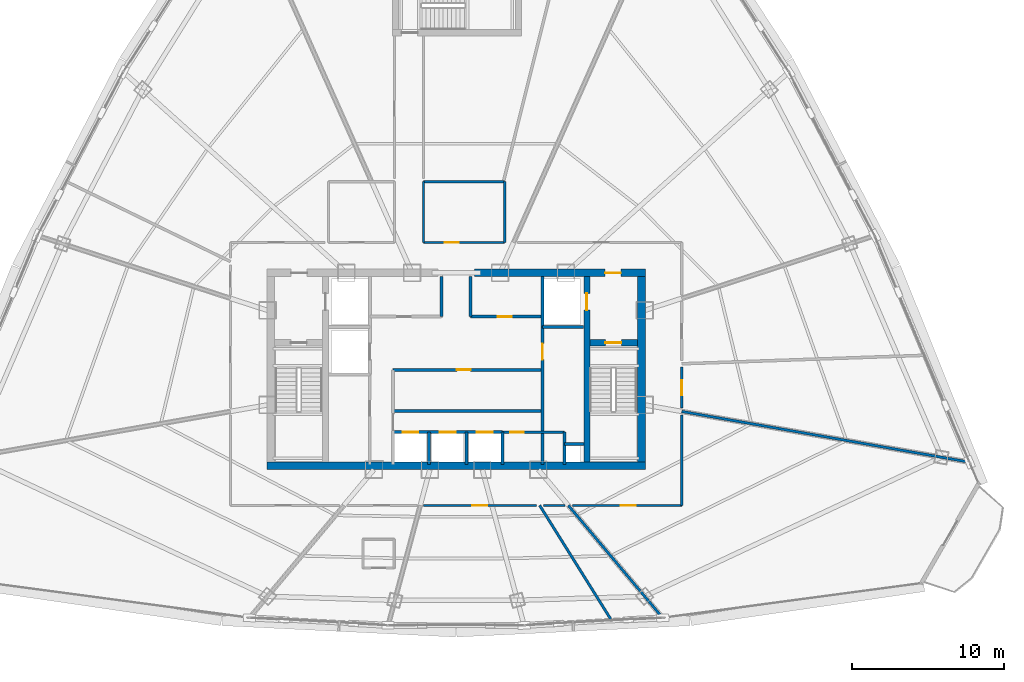
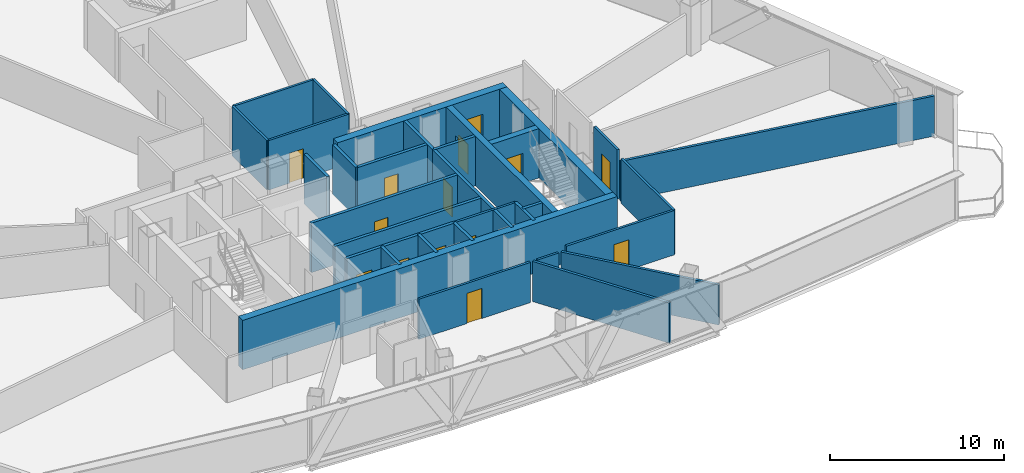
# One storey, part 31 of 37: 32 walls, 14 doors, 14 openings.
"""IFC4 building model written with IfcOpenShell, lengths in metres."""

import ifcopenshell
import ifcopenshell.guid

model = None  # the IFC model being written
_history = None  # IfcOwnerHistory: only IFC2X3 demands one
_inside = {}  # id of a spatial element -> (the spatial element, [elements in it])
_under = {}  # id of a project, library or spatial element -> (it, [spatial elements below it])
_declared = {}  # id of a project -> (the project, [libraries it declares])
_typed = {}  # id of a type object -> (the type object, [elements of that type])
_made_of = {}  # id of a material, layer set ... -> (it, [elements and type objects made of it])


def new_model(schema):
    """Start an empty IFC model of exactly this schema.

    Asked for "IFC4X3", IfcOpenShell would pick the latest addendum, in which some entities
    have other attributes; the version numbers below select the first issue.
    IFC2X3 requires an IfcOwnerHistory on every rooted entity: one is made here for all.
    """
    global model, _history
    if schema == "IFC4X3":
        model = ifcopenshell.file(schema_version=(4, 3, 0, 0))
    else:
        model = ifcopenshell.file(schema=schema)
    _inside.clear()
    _under.clear()
    _declared.clear()
    _typed.clear()
    _made_of.clear()
    _history = None
    if model.schema == "IFC2X3":
        org = make("IfcOrganization", Name="unknown")
        user = make(
            "IfcPersonAndOrganization",
            ThePerson=make("IfcPerson", FamilyName="unknown"),
            TheOrganization=org,
        )
        app = make(
            "IfcApplication",
            ApplicationDeveloper=org,
            Version="unknown",
            ApplicationFullName="unknown",
            ApplicationIdentifier="unknown",
        )
        _history = make(
            "IfcOwnerHistory",
            OwningUser=user,
            OwningApplication=app,
            ChangeAction="ADDED",
            CreationDate=0,
        )
    return model


def make(cls, **values):
    """One entity of the class cls with the attributes given. An attribute that is None is left unset."""
    return model.create_entity(
        cls, **{name: value for name, value in values.items() if value is not None}
    )


def rooted(cls, **values):
    """An entity with a GlobalId (a new one), such as an element, a storey or a relation."""
    return make(cls, GlobalId=ifcopenshell.guid.new(), OwnerHistory=_history, **values)


def si_unit(unit_type, name, prefix=None):
    """IfcSIUnit, for example si_unit("LENGTHUNIT", "METRE", prefix="MILLI")."""
    return make("IfcSIUnit", UnitType=unit_type, Prefix=prefix, Name=name)


def assignment(units):
    """IfcUnitAssignment: the units of a project."""
    return None if units is None else make("IfcUnitAssignment", Units=units)


def point(xyz):
    """IfcCartesianPoint."""
    return None if xyz is None else make("IfcCartesianPoint", Coordinates=xyz)


def direction(xyz):
    """IfcDirection."""
    return None if xyz is None else make("IfcDirection", DirectionRatios=xyz)


def frame(location, z_axis=None, x_axis=None):
    """IfcAxis2Placement3D, a coordinate frame: its origin and axes. An axis left out is left unset."""
    return make(
        "IfcAxis2Placement3D",
        Location=point(location),
        Axis=direction(z_axis),
        RefDirection=direction(x_axis),
    )


def frame_2d(location, x_axis=None):
    """IfcAxis2Placement2D, a coordinate frame in the plane: its origin and x axis."""
    return make(
        "IfcAxis2Placement2D", Location=point(location), RefDirection=direction(x_axis)
    )


def origin():
    """The frame at (0, 0, 0) with its axes left unset."""
    return frame((0.0, 0.0, 0.0))


def origin_with_axes():
    """The frame at (0, 0, 0) with the z axis (0, 0, 1) and the x axis (1, 0, 0) written out."""
    return frame((0.0, 0.0, 0.0), z_axis=(0.0, 0.0, 1.0), x_axis=(1.0, 0.0, 0.0))


def place(relative_to, where):
    """IfcLocalPlacement: puts the frame where relative to a parent placement (None: the world)."""
    return make(
        "IfcLocalPlacement", PlacementRelTo=relative_to, RelativePlacement=where
    )


def context(
    kind, dimensions, precision=None, world=None, true_north=None, identifier=None
):
    """IfcGeometricRepresentationContext, for example the 3D "Model" context."""
    return make(
        "IfcGeometricRepresentationContext",
        ContextIdentifier=identifier,
        ContextType=kind,
        CoordinateSpaceDimension=dimensions,
        Precision=precision,
        WorldCoordinateSystem=world,
        TrueNorth=true_north,
    )


def subcontext(parent, identifier, kind, view, scale=None):
    """IfcGeometricRepresentationSubContext, for example "Body" below "Model"."""
    return make(
        "IfcGeometricRepresentationSubContext",
        ContextIdentifier=identifier,
        ContextType=kind,
        ParentContext=parent,
        TargetScale=scale,
        TargetView=view,
    )


def project(units=None, contexts=None):
    """IfcProject with its units and contexts."""
    return rooted(
        "IfcProject",
        Name="project",
        RepresentationContexts=contexts,
        UnitsInContext=assignment(units),
    )


def spatial(cls, under=None, at=None, **own):
    """A site, building, storey or space (cls), placed at a placement, below another one or the project."""
    s = rooted(cls, ObjectPlacement=at, **own)
    if under is not None:
        _under.setdefault(under.id(), (under, []))[1].append(s)
    return s


def profile(cls, at=None, kind="AREA", **sizes):
    """A parametric profile (cls). Its sizes go by their IFC names, for example OverallWidth=200.0."""
    return make(cls, ProfileType=kind, Position=at, **sizes)


def rectangle(**sizes):
    """IfcRectangleProfileDef."""
    return profile("IfcRectangleProfileDef", **sizes)


def extrude(swept, where, along, depth):
    """IfcExtrudedAreaSolid: the profile swept, set in the frame where, extruded along a direction by depth."""
    return make(
        "IfcExtrudedAreaSolid",
        SweptArea=swept,
        Position=where,
        ExtrudedDirection=direction(along),
        Depth=depth,
    )


def shape(context_of_items, identifier, shape_type, items):
    """IfcShapeRepresentation: the items that make up one representation, for example the "Body"."""
    return make(
        "IfcShapeRepresentation",
        ContextOfItems=context_of_items,
        RepresentationIdentifier=identifier,
        RepresentationType=shape_type,
        Items=items,
    )


def source(mapping_origin, context_of_items, identifier, shape_type, items):
    """IfcRepresentationMap: a shape defined once, which mapped items show again and again."""
    return make(
        "IfcRepresentationMap",
        MappingOrigin=mapping_origin,
        MappedRepresentation=shape(context_of_items, identifier, shape_type, items),
    )


def transform(
    local_origin,
    x_axis=None,
    y_axis=None,
    z_axis=None,
    scale=None,
    scale2=None,
    scale3=None,
    uniform=True,
):
    """IfcCartesianTransformationOperator3D, or its non-uniform kind. x_axis, y_axis, z_axis: its Axis1, 2, 3."""
    if uniform:
        return make(
            "IfcCartesianTransformationOperator3D",
            Axis1=direction(x_axis),
            Axis2=direction(y_axis),
            LocalOrigin=point(local_origin),
            Scale=scale,
            Axis3=direction(z_axis),
        )
    return make(
        "IfcCartesianTransformationOperator3DnonUniform",
        Axis1=direction(x_axis),
        Axis2=direction(y_axis),
        LocalOrigin=point(local_origin),
        Scale=scale,
        Axis3=direction(z_axis),
        Scale2=scale2,
        Scale3=scale3,
    )


def mapped(mapping_source, mapping_target):
    """IfcMappedItem: shows the shape of a source again, moved by a transform."""
    return make(
        "IfcMappedItem", MappingSource=mapping_source, MappingTarget=mapping_target
    )


def material(Name=None, Category=None):
    """IfcMaterial."""
    return make("IfcMaterial", Name=Name, Category=Category)


def layer(
    of_material, thickness, ventilated=None, Name=None, Category=None, Priority=None
):
    """IfcMaterialLayer: one layer of a wall or slab, of a material (None: an air gap)."""
    return make(
        "IfcMaterialLayer",
        Material=of_material,
        LayerThickness=thickness,
        IsVentilated=ventilated,
        Name=Name,
        Category=Category,
        Priority=Priority,
    )


def layer_set(layers, Name=None):
    """IfcMaterialLayerSet."""
    return make("IfcMaterialLayerSet", MaterialLayers=layers, LayerSetName=Name)


def made_of(thing, what):
    """Note that an element or type object is made of a material, layer set ...; save() writes the relation."""
    if what is not None:
        _made_of.setdefault(what.id(), (what, []))[1].append(thing)
    return thing


def type_object(cls, material=None, **own):
    """A type object (cls), such as IfcWallType, which elements share."""
    return made_of(rooted(cls, **own), material)


def element(
    cls,
    number,
    at=None,
    inside=None,
    cuts=None,
    type_object=None,
    material=None,
    context=None,
    identifier="Body",
    shape_type=None,
    held_by="IfcProductDefinitionShape",
    body=None,
    shapes=None,
    **own,
):
    """One element of the class cls, such as IfcWall. Its Tag is "e" and its number.

    at: its placement. inside: the storey or other place that contains it. cuts: it is an
    opening in that element (IfcRelVoidsElement). A single representation is given by context,
    identifier, shape_type and body (its items); several are given by shapes. held_by: the class
    of the entity that holds the representations. save() writes the other relations.
    """
    e = rooted(cls, Tag="e%d" % number, ObjectPlacement=at, **own)
    if body is not None:
        shapes = [shape(context, identifier, shape_type, body)]
    if shapes is not None:
        e.Representation = make(held_by, Representations=shapes)
    if inside is not None:
        _inside.setdefault(inside.id(), (inside, []))[1].append(e)
    if cuts is not None:
        rooted(
            "IfcRelVoidsElement", RelatingBuildingElement=cuts, RelatedOpeningElement=e
        )
    if type_object is not None:
        _typed.setdefault(type_object.id(), (type_object, []))[1].append(e)
    return made_of(e, material)


def fill(opening, filler):
    """IfcRelFillsElement: the door or window that sits in an opening."""
    return rooted(
        "IfcRelFillsElement",
        RelatingOpeningElement=opening,
        RelatedBuildingElement=filler,
    )


def aggregate(whole, parts):
    """IfcRelAggregates: a whole, such as a stair, and the parts it consists of."""
    return rooted("IfcRelAggregates", RelatingObject=whole, RelatedObjects=parts)


def save(model, path):
    """Write the relations noted so far, then the file.

    IfcRelAggregates (storeys below a building ...), IfcRelContainedInSpatialStructure (elements
    in a storey), IfcRelDefinesByType, IfcRelAssociatesMaterial and IfcRelDeclares: one each for
    every whole, place, type object, material and project.
    """
    for whole, parts in _under.values():
        aggregate(whole, parts)
    for where, things in _inside.values():
        rooted(
            "IfcRelContainedInSpatialStructure",
            RelatedElements=things,
            RelatingStructure=where,
        )
    for kind, things in _typed.values():
        rooted("IfcRelDefinesByType", RelatedObjects=things, RelatingType=kind)
    for what, things in _made_of.values():
        rooted("IfcRelAssociatesMaterial", RelatedObjects=things, RelatingMaterial=what)
    for by, libraries in _declared.values():
        rooted("IfcRelDeclares", RelatingContext=by, RelatedDefinitions=libraries)
    model.write(path)


model = new_model("IFC4")

# Units and contexts
model_context = context("Model", 3, precision=1e-05, world=origin(), true_north=direction((0.0, 1.0)))
body_context = subcontext(model_context, "Body", "Model", "MODEL_VIEW")
ifc_project = project(units=[si_unit("LENGTHUNIT", "METRE"), si_unit("AREAUNIT", "SQUARE_METRE"), si_unit("VOLUMEUNIT", "CUBIC_METRE"), si_unit("PLANEANGLEUNIT", "RADIAN"), si_unit("MASSUNIT", "GRAM", prefix="KILO"), si_unit("THERMODYNAMICTEMPERATUREUNIT", "KELVIN"), si_unit("POWERUNIT", "WATT")], contexts=[model_context])

# Site, building, storey
site_placement = place(None, origin())
site = spatial("IfcSite", under=ifc_project, at=site_placement, CompositionType="ELEMENT")
building_placement = place(site_placement, origin())
building = spatial("IfcBuilding", under=site, at=building_placement, Name="Yunzhuo Pagoda Commons", CompositionType="ELEMENT")
storey_placement = place(building_placement, frame((0.0, 0.0, 255.719970703125)))
storey = spatial("IfcBuildingStorey", under=building, at=storey_placement, Name="L64", CompositionType="ELEMENT", Elevation=255.719970703125)

# Wall
ifc_material_1 = material(Name="Concrete C50", Category="concrete")
ifc_layer_1 = layer(ifc_material_1, 0.5)
ifc_layer_set_1 = layer_set([ifc_layer_1], Name="Concrete C50")
wall_type_1 = type_object("IfcWallType", Name="W-C03 Upper Core Shear Wall 500", PredefinedType="SHEAR", material=ifc_layer_set_1)
wall_1_placement = place(storey_placement, frame((35.550048828125, 27.5, 0.0), z_axis=(0.0, 0.0, 1.0), x_axis=(1.0, 0.0, 0.0)))
element("IfcWall", 1, at=wall_1_placement, inside=storey, type_object=wall_type_1, Name="L64 core shear wall S", PredefinedType="SHEAR", context=body_context, shape_type="SweptSolid", body=[
    extrude(rectangle(XDim=24.89990234375, YDim=0.5, at=frame_2d((12.449951171875, 0.0))), origin(), (0.0, 0.0, 1.0), 3.469970703125),
])

# Wall, opening, door
wall_2_placement = place(storey_placement, frame((49.199951171875, 40.199951171875, 0.0), z_axis=(0.0, 0.0, 1.0), x_axis=(1.0, 0.0, 0.0)))
wall_2 = element("IfcWall", 2, at=wall_2_placement, inside=storey, type_object=wall_type_1, Name="L64 core shear wall NE", PredefinedType="SHEAR", context=body_context, shape_type="SweptSolid", body=[
    extrude(rectangle(XDim=11.25, YDim=0.5, at=frame_2d((5.625, 0.0))), origin(), (0.0, 0.0, 1.0), 3.469970703125),
])
opening_1_placement = place(wall_2_placement, frame((8.60009765625, 0.0, 0.0)))
opening_1 = element("IfcOpeningElement", 3, at=opening_1_placement, cuts=wall_2, Name="Opening D-02", PredefinedType="OPENING", context=body_context, shape_type="SweptSolid", body=[
    extrude(rectangle(XDim=1.050048828125, YDim=2.10009765625, at=frame_2d((0.52490234375, 1.050048828125))), frame((0.0, 0.260009765625, 0.0), z_axis=(0.0, -1.0, 0.0), x_axis=(1.0, 0.0, 0.0)), (0.0, 0.0, 1.0), 0.52001953125),
])
ifc_material_2 = material(Name="Galvanized fire-resisting metal leaf")
door_type_1 = type_object("IfcDoorType", Name="D-02 Firefighting Lobby & Refuge Fire Door 1050x2100", OperationType="NOTDEFINED", PredefinedType="DOOR", material=ifc_material_2)
shared_shape_1 = source(origin(), body_context, "Body", "SweptSolid", [
    extrude(rectangle(XDim=1.050048828125, YDim=2.10009765625, at=frame_2d((0.52490234375, 1.050048828125))), frame((0.0, 0.02490234375, 0.0), z_axis=(0.0, -1.0, 0.0), x_axis=(1.0, 0.0, 0.0)), (0.0, 0.0, 1.0), 0.050048828125),
])
door_1_placement = place(opening_1_placement, frame((1.050048828125, 0.0, 0.0), z_axis=(0.0, 0.0, 1.0), x_axis=(-1.0, 0.0, 0.0)))
door_1 = element("IfcDoor", 4, at=door_1_placement, inside=storey, type_object=door_type_1, Name="L64 Firefighting Lobby 2 fire door", OperationType="SINGLE_SWING_RIGHT", OverallHeight=2.10009765625, OverallWidth=1.050048828125, PredefinedType="DOOR", context=body_context, shape_type="MappedRepresentation", body=[
    mapped(shared_shape_1, transform((0.0, 0.0, 0.0), scale=1.0)),
])
fill(opening_1, door_1)

# Wall
wall_3_placement = place(storey_placement, frame((60.199951171875, 27.75, 0.0), z_axis=(0.0, 0.0, 1.0), x_axis=(0.0, 1.0, 0.0)))
element("IfcWall", 5, at=wall_3_placement, inside=storey, type_object=wall_type_1, Name="L64 core shear wall E", PredefinedType="SHEAR", context=body_context, shape_type="SweptSolid", body=[
    extrude(rectangle(XDim=12.199951171875, YDim=0.5, at=frame_2d((6.10009765625, 0.0))), origin(), (0.0, 0.0, 1.0), 3.469970703125),
])

# Wall, opening, door
ifc_material_3 = material(Name="Gypsum plasterboard on acoustic stud")
ifc_layer_2 = layer(ifc_material_3, 0.14990234375)
ifc_layer_set_2 = layer_set([ifc_layer_2], Name="Gypsum plasterboard on acoustic stud")
wall_type_2 = type_object("IfcWallType", Name="W-COR3 High-Zone Rated Corridor Wall 150", PredefinedType="PARTITIONING", material=ifc_layer_set_2)
wall_4_placement = place(storey_placement, frame((51.050048828125, 29.719970703125, 0.0), z_axis=(0.0, 0.0, 1.0), x_axis=(1.0, 0.0, 0.0)))
wall_4 = element("IfcWall", 6, at=wall_4_placement, inside=storey, type_object=wall_type_2, Name="L64 interior wall IW-L64-CSES", PredefinedType="PARTITIONING", context=body_context, shape_type="SweptSolid", body=[
    extrude(rectangle(XDim=4.070068359375, YDim=0.14990234375, at=frame_2d((2.03515625, 0.0))), origin(), (0.0, 0.0, 1.0), 3.469970703125),
])
opening_2_placement = place(wall_4_placement, frame((0.5, 0.0, 0.0)))
opening_2 = element("IfcOpeningElement", 7, at=opening_2_placement, cuts=wall_4, Name="Opening D-03", PredefinedType="OPENING", context=body_context, shape_type="SweptSolid", body=[
    extrude(rectangle(XDim=0.89990234375, YDim=2.10009765625, at=frame_2d((0.449951171875, 1.050048828125))), frame((0.0, 0.0849609375, 0.0), z_axis=(0.0, -1.0, 0.0), x_axis=(1.0, 0.0, 0.0)), (0.0, 0.0, 1.0), 0.169921875),
])
door_type_2 = type_object("IfcDoorType", Name="D-03 Core Service Fire Door 900x2100", OperationType="NOTDEFINED", PredefinedType="DOOR", material=ifc_material_2)
shared_shape_2 = source(origin(), body_context, "Body", "SweptSolid", [
    extrude(rectangle(XDim=0.89990234375, YDim=2.10009765625, at=frame_2d((0.449951171875, 1.050048828125))), frame((0.0, 0.02490234375, 0.0), z_axis=(0.0, -1.0, 0.0), x_axis=(1.0, 0.0, 0.0)), (0.0, 0.0, 1.0), 0.050048828125),
])
door_2_placement = place(opening_2_placement, origin_with_axes())
door_2 = element("IfcDoor", 8, at=door_2_placement, inside=storey, type_object=door_type_2, Name="L64 cleaner store door", OperationType="SINGLE_SWING_LEFT", OverallHeight=2.10009765625, OverallWidth=0.89990234375, PredefinedType="DOOR", context=body_context, shape_type="MappedRepresentation", body=[
    mapped(shared_shape_2, transform((0.0, 0.0, 0.0), scale=1.0)),
])
fill(opening_2, door_2)

wall_5_placement = place(storey_placement, frame((45.85009765625, 42.199951171875, 0.0), z_axis=(0.0, 0.0, 1.0), x_axis=(1.0, 0.0, 0.0)))
wall_5 = element("IfcWall", 9, at=wall_5_placement, inside=storey, type_object=wall_type_2, Name="L64 interior wall IW-L64-TFES", PredefinedType="PARTITIONING", context=body_context, shape_type="SweptSolid", body=[
    extrude(rectangle(XDim=5.349853515625, YDim=0.14990234375, at=frame_2d((2.6748046875, 0.0))), origin(), (0.0, 0.0, 1.0), 3.469970703125),
])
opening_3_placement = place(wall_5_placement, frame((1.39990234375, 0.0, 0.0)))
opening_3 = element("IfcOpeningElement", 10, at=opening_3_placement, cuts=wall_5, Name="Opening D-11", PredefinedType="OPENING", context=body_context, shape_type="SweptSolid", body=[
    extrude(rectangle(XDim=0.93994140625, YDim=2.10009765625, at=frame_2d((0.469970703125, 1.050048828125))), frame((0.0, 0.0849609375, 0.0), z_axis=(0.0, -1.0, 0.0), x_axis=(1.0, 0.0, 0.0)), (0.0, 0.0, 1.0), 0.169921875),
])
door_type_3 = type_object("IfcDoorType", Name="D-11 Accessible Washroom Fire Door 940x2100", OperationType="NOTDEFINED", PredefinedType="DOOR", material=ifc_material_2)
shared_shape_3 = source(origin(), body_context, "Body", "SweptSolid", [
    extrude(rectangle(XDim=0.93994140625, YDim=2.10009765625, at=frame_2d((0.469970703125, 1.050048828125))), frame((0.0, 0.02490234375, 0.0), z_axis=(0.0, -1.0, 0.0), x_axis=(1.0, 0.0, 0.0)), (0.0, 0.0, 1.0), 0.050048828125),
])
door_3_placement = place(opening_3_placement, frame((0.93994140625, 0.0, 0.0), z_axis=(0.0, 0.0, 1.0), x_axis=(-1.0, 0.0, 0.0)))
door_3 = element("IfcDoor", 11, at=door_3_placement, inside=storey, type_object=door_type_3, Name="L64 accessible WC door", OperationType="SINGLE_SWING_RIGHT", OverallHeight=2.10009765625, OverallWidth=0.93994140625, PredefinedType="DOOR", context=body_context, shape_type="MappedRepresentation", body=[
    mapped(shared_shape_3, transform((0.0, 0.0, 0.0), scale=1.0)),
])
fill(opening_3, door_3)

# Walls
wall_6_placement = place(storey_placement, frame((45.85009765625, 46.199951171875, 0.0), z_axis=(0.0, 0.0, 1.0), x_axis=(1.0, 0.0, 0.0)))
element("IfcWall", 12, at=wall_6_placement, inside=storey, type_object=wall_type_2, Name="L64 interior wall IW-L64-TFEN", PredefinedType="PARTITIONING", context=body_context, shape_type="SweptSolid", body=[
    extrude(rectangle(XDim=5.349853515625, YDim=0.14990234375, at=frame_2d((2.6748046875, 0.0))), origin(), (0.0, 0.0, 1.0), 3.469970703125),
])
for number, where, z_axis, x_axis, name in (
    (13, (45.85009765625, 42.199951171875, 0.0), (0.0, 0.0, 1.0), (0.0, 1.0, 0.0), "L64 interior wall IW-L64-TFEW"),
    (14, (51.199951171875, 42.199951171875, 0.0), (0.0, 0.0, 1.0), (0.0, 1.0, 0.0), "L64 interior wall IW-L64-TFEE"),
):
    element("IfcWall", number, at=place(storey_placement, frame(where, z_axis=z_axis, x_axis=x_axis)), inside=storey, type_object=wall_type_2, Name=name, PredefinedType="PARTITIONING", context=body_context, shape_type="SweptSolid", body=[
        extrude(rectangle(XDim=4.0, YDim=0.14990234375, at=frame_2d((2.0, 0.0))), origin(), (0.0, 0.0, 1.0), 3.469970703125),
    ])

# Wall, opening, door
wall_7_placement = place(storey_placement, frame((62.85009765625, 33.998779296875, 0.0), z_axis=(0.0, 0.0, 1.0), x_axis=(0.0, -1.0, 0.0)))
wall_7 = element("IfcWall", 15, at=wall_7_placement, inside=storey, type_object=wall_type_2, Name="L64 interior wall IW-L64-CWL11", PredefinedType="PARTITIONING", context=body_context, shape_type="SweptSolid", body=[
    extrude(rectangle(XDim=2.697509765625, YDim=0.14990234375, at=frame_2d((1.3486328125, 0.0))), origin(), (0.0, 0.0, 1.0), 3.469970703125),
])
opening_4_placement = place(wall_7_placement, frame((0.873779296875, 0.0, 0.0)))
opening_4 = element("IfcOpeningElement", 16, at=opening_4_placement, cuts=wall_7, Name="Opening D-08", PredefinedType="OPENING", context=body_context, shape_type="SweptSolid", body=[
    extrude(rectangle(XDim=0.97998046875, YDim=2.1201171875, at=frame_2d((0.489990234375, 1.06005859375))), frame((0.0, 0.0849609375, 0.0), z_axis=(0.0, -1.0, 0.0), x_axis=(1.0, 0.0, 0.0)), (0.0, 0.0, 1.0), 0.169921875),
])
door_type_4 = type_object("IfcDoorType", Name="D-08 High-Zone Suite Entrance Fire Door 980x2120", OperationType="NOTDEFINED", PredefinedType="DOOR", material=ifc_material_2)
shared_shape_4 = source(origin(), body_context, "Body", "SweptSolid", [
    extrude(rectangle(XDim=0.97998046875, YDim=2.1201171875, at=frame_2d((0.489990234375, 1.06005859375))), frame((0.0, 0.02490234375, 0.0), z_axis=(0.0, -1.0, 0.0), x_axis=(1.0, 0.0, 0.0)), (0.0, 0.0, 1.0), 0.050048828125),
])
door_4_placement = place(opening_4_placement, origin_with_axes())
door_4 = element("IfcDoor", 17, at=door_4_placement, inside=storey, type_object=door_type_4, Name="L64 unit 13 entrance door", OperationType="SINGLE_SWING_LEFT", OverallHeight=2.1201171875, OverallWidth=0.97998046875, PredefinedType="DOOR", context=body_context, shape_type="MappedRepresentation", body=[
    mapped(shared_shape_4, transform((0.0, 0.0, 0.0), scale=1.0)),
])
fill(opening_4, door_4)

# Wall
wall_8_placement = place(storey_placement, frame((62.85009765625, 30.858154296875, 0.0), z_axis=(0.0, 0.0, 1.0), x_axis=(0.0, -1.0, 0.0)))
element("IfcWall", 18, at=wall_8_placement, inside=storey, type_object=wall_type_2, Name="L64 interior wall IW-L64-CWL12", PredefinedType="PARTITIONING", context=body_context, shape_type="SweptSolid", body=[
    extrude(rectangle(XDim=5.958251953125, YDim=0.14990234375, at=frame_2d((2.97900390625, 0.0))), origin(), (0.0, 0.0, 1.0), 3.1201171875),
])

# Wall, opening, door
wall_9_placement = place(storey_placement, frame((62.85009765625, 24.89990234375, 0.0), z_axis=(0.0, 0.0, 1.0), x_axis=(-1.0, 0.0, 0.0)))
wall_9 = element("IfcWall", 19, at=wall_9_placement, inside=storey, type_object=wall_type_2, Name="L64 interior wall IW-L64-CWL13", PredefinedType="PARTITIONING", context=body_context, shape_type="SweptSolid", body=[
    extrude(rectangle(XDim=7.1787109375, YDim=0.14990234375, at=frame_2d((3.58935546875, 0.0))), origin(), (0.0, 0.0, 1.0), 3.1201171875),
])
opening_5_placement = place(wall_9_placement, frame((3.028076171875, 0.0, 0.0)))
opening_5 = element("IfcOpeningElement", 20, at=opening_5_placement, cuts=wall_9, Name="Opening D-08", PredefinedType="OPENING", context=body_context, shape_type="SweptSolid", body=[
    extrude(rectangle(XDim=0.97998046875, YDim=2.1201171875, at=frame_2d((0.489990234375, 1.06005859375))), frame((0.0, 0.0849609375, 0.0), z_axis=(0.0, -1.0, 0.0), x_axis=(1.0, 0.0, 0.0)), (0.0, 0.0, 1.0), 0.169921875),
])
door_5_placement = place(opening_5_placement, origin_with_axes())
door_5 = element("IfcDoor", 21, at=door_5_placement, inside=storey, type_object=door_type_4, Name="L64 unit 12 entrance door", OperationType="SINGLE_SWING_RIGHT", OverallHeight=2.1201171875, OverallWidth=0.97998046875, PredefinedType="DOOR", context=body_context, shape_type="MappedRepresentation", body=[
    mapped(shared_shape_4, transform((0.0, 0.0, 0.0), scale=1.0)),
])
fill(opening_5, door_5)

# Wall
wall_10_placement = place(storey_placement, frame((55.164306640625, 24.89990234375, 0.0), z_axis=(0.0, 0.0, 1.0), x_axis=(-1.0, 0.0, 0.0)))
element("IfcWall", 22, at=wall_10_placement, inside=storey, type_object=wall_type_2, Name="L64 interior wall IW-L64-CWL14", PredefinedType="PARTITIONING", context=body_context, shape_type="SweptSolid", body=[
    extrude(rectangle(XDim=1.406005859375, YDim=0.14990234375, at=frame_2d((0.703125, 0.0))), origin(), (0.0, 0.0, 1.0), 2.820068359375),
])

# Wall, opening, door
wall_11_placement = place(storey_placement, frame((53.279052734375, 24.89990234375, 0.0), z_axis=(0.0, 0.0, 1.0), x_axis=(-1.0, 0.0, 0.0)))
wall_11 = element("IfcWall", 23, at=wall_11_placement, inside=storey, type_object=wall_type_2, Name="L64 interior wall IW-L64-CWL15", PredefinedType="PARTITIONING", context=body_context, shape_type="SweptSolid", body=[
    extrude(rectangle(XDim=7.417236328125, YDim=0.14990234375, at=frame_2d((3.70849609375, 0.0))), origin(), (0.0, 0.0, 1.0), 2.820068359375),
])
opening_6_placement = place(wall_11_placement, frame((3.233642578125, 0.0, 0.0)))
opening_6 = element("IfcOpeningElement", 24, at=opening_6_placement, cuts=wall_11, Name="Opening D-08", PredefinedType="OPENING", context=body_context, shape_type="SweptSolid", body=[
    extrude(rectangle(XDim=0.97998046875, YDim=2.1201171875, at=frame_2d((0.489990234375, 1.06005859375))), frame((0.0, 0.0849609375, 0.0), z_axis=(0.0, -1.0, 0.0), x_axis=(1.0, 0.0, 0.0)), (0.0, 0.0, 1.0), 0.169921875),
])
door_6_placement = place(opening_6_placement, origin_with_axes())
door_6 = element("IfcDoor", 25, at=door_6_placement, inside=storey, type_object=door_type_4, Name="L64 Academic Reading Commons 2 door", OperationType="SINGLE_SWING_RIGHT", OverallHeight=2.1201171875, OverallWidth=0.97998046875, PredefinedType="DOOR", context=body_context, shape_type="MappedRepresentation", body=[
    mapped(shared_shape_4, transform((0.0, 0.0, 0.0), scale=1.0)),
])
fill(opening_6, door_6)

# Walls
ifc_layer_3 = layer(ifc_material_3, 0.169921875)
ifc_layer_set_3 = layer_set([ifc_layer_3], Name="Gypsum plasterboard on acoustic stud")
wall_type_3 = type_object("IfcWallType", Name="W-PRT4 High-Zone Demising Wall 170", PredefinedType="PARTITIONING", material=ifc_layer_set_3)
wall_12_placement = place(storey_placement, frame((53.498779296875, 24.89990234375, 0.0), z_axis=(0.0, 0.0, 1.0), x_axis=(0.529920411872, -0.848047379031, 0.0)))
element("IfcWall", 26, at=wall_12_placement, inside=storey, type_object=wall_type_3, Name="L64 interior wall IW-L64-RAD11", PredefinedType="PARTITIONING", context=body_context, shape_type="SweptSolid", body=[
    extrude(rectangle(XDim=8.94287109375, YDim=0.169921875, at=frame_2d((4.471435546875, 0.0))), origin(), (0.0, 0.0, 1.0), 2.820068359375),
])
wall_13_placement = place(storey_placement, frame((55.384033203125, 24.89990234375, 0.0), z_axis=(0.0, 0.0, 1.0), x_axis=(0.642795010628, -0.766038232931, 0.0)))
element("IfcWall", 27, at=wall_13_placement, inside=storey, type_object=wall_type_3, Name="L64 interior wall IW-L64-RAD12", PredefinedType="PARTITIONING", context=body_context, shape_type="SweptSolid", body=[
    extrude(rectangle(XDim=9.6630859375, YDim=0.169921875, at=frame_2d((4.83154296875, 0.0))), origin(), (0.0, 0.0, 1.0), 2.820068359375),
])
wall_14_placement = place(storey_placement, frame((62.85009765625, 31.08154296875, 0.0), z_axis=(0.0, 0.0, 1.0), x_axis=(0.984808346381, -0.173644812474, 0.0)))
element("IfcWall", 28, at=wall_14_placement, inside=storey, type_object=wall_type_3, Name="L64 interior wall IW-L64-RAD13", PredefinedType="PARTITIONING", context=body_context, shape_type="SweptSolid", body=[
    extrude(rectangle(XDim=19.22802734375, YDim=0.169921875, at=frame_2d((9.614013671875, 0.0))), origin(), (0.0, 0.0, 1.0), 2.820068359375),
])

# Wall, opening, door
ifc_material_4 = material(Name="Concrete C60", Category="concrete")
ifc_layer_4 = layer(ifc_material_4, 0.39990234375)
ifc_layer_set_4 = layer_set([ifc_layer_4], Name="Concrete C60")
wall_type_4 = type_object("IfcWallType", Name="W-S01 Internal Core Shear Web 400", PredefinedType="SHEAR", material=ifc_layer_set_4)
wall_15_placement = place(storey_placement, frame((56.60009765625, 27.75, 0.0), z_axis=(0.0, 0.0, 1.0), x_axis=(0.0, 1.0, 0.0)))
wall_15 = element("IfcWall", 29, at=wall_15_placement, inside=storey, type_object=wall_type_4, Name="L64 core shear wall WEBE", PredefinedType="SHEAR", context=body_context, shape_type="SweptSolid", body=[
    extrude(rectangle(XDim=12.199951171875, YDim=0.39990234375, at=frame_2d((6.10009765625, 0.0))), origin(), (0.0, 0.0, 1.0), 3.469970703125),
])
opening_7_placement = place(wall_15_placement, frame((10.0, 0.0, 0.0)))
opening_7 = element("IfcOpeningElement", 30, at=opening_7_placement, cuts=wall_15, Name="Opening LD-01", PredefinedType="OPENING", context=body_context, shape_type="SweptSolid", body=[
    extrude(rectangle(XDim=1.10009765625, YDim=2.10009765625, at=frame_2d((0.550048828125, 1.050048828125))), frame((0.0, 0.2099609375, 0.0), z_axis=(0.0, -1.0, 0.0), x_axis=(1.0, 0.0, 0.0)), (0.0, 0.0, 1.0), 0.419921875),
])
door_type_5 = type_object("IfcDoorType", Name="LD-01 Firefighting Lift Landing Door 1100x2100", OperationType="DOUBLE_DOOR_SLIDING", PredefinedType="DOOR", material=ifc_material_2)
shared_shape_5 = source(origin(), body_context, "Body", "SweptSolid", [
    extrude(rectangle(XDim=1.10009765625, YDim=2.10009765625, at=frame_2d((0.550048828125, 1.050048828125))), frame((0.0, 0.02490234375, 0.0), z_axis=(0.0, -1.0, 0.0), x_axis=(1.0, 0.0, 0.0)), (0.0, 0.0, 1.0), 0.050048828125),
])
door_7_placement = place(opening_7_placement, origin_with_axes())
door_7 = element("IfcDoor", 31, at=door_7_placement, inside=storey, type_object=door_type_5, Name="L64 Firefighting lift FL-2 landing door", OperationType="DOUBLE_DOOR_SLIDING", OverallHeight=2.10009765625, OverallWidth=1.10009765625, PredefinedType="DOOR", context=body_context, shape_type="MappedRepresentation", body=[
    mapped(shared_shape_5, transform((0.0, 0.0, 0.0), scale=1.0)),
])
fill(opening_7, door_7)

wall_16_placement = place(storey_placement, frame((56.800048828125, 35.60009765625, 0.0), z_axis=(0.0, 0.0, 1.0), x_axis=(1.0, 0.0, 0.0)))
wall_16 = element("IfcWall", 32, at=wall_16_placement, inside=storey, type_object=wall_type_4, Name="L64 core shear wall STE", PredefinedType="SHEAR", context=body_context, shape_type="SweptSolid", body=[
    extrude(rectangle(XDim=3.14990234375, YDim=0.39990234375, at=frame_2d((1.574951171875, 0.0))), origin(), (0.0, 0.0, 1.0), 3.469970703125),
])
opening_8_placement = place(wall_16_placement, frame((1.02001953125, 0.0, 0.0)))
opening_8 = element("IfcOpeningElement", 33, at=opening_8_placement, cuts=wall_16, Name="Opening D-01", PredefinedType="OPENING", context=body_context, shape_type="SweptSolid", body=[
    extrude(rectangle(XDim=1.050048828125, YDim=2.10009765625, at=frame_2d((0.52490234375, 1.050048828125))), frame((0.0, 0.2099609375, 0.0), z_axis=(0.0, -1.0, 0.0), x_axis=(1.0, 0.0, 0.0)), (0.0, 0.0, 1.0), 0.419921875),
])
door_type_6 = type_object("IfcDoorType", Name="D-01 Smokeproof Stair Fire Door 1050x2100", OperationType="NOTDEFINED", PredefinedType="DOOR", material=ifc_material_2)
door_8_placement = place(opening_8_placement, frame((1.050048828125, 0.0, 0.0), z_axis=(0.0, 0.0, 1.0), x_axis=(-1.0, 0.0, 0.0)))
door_8 = element("IfcDoor", 34, at=door_8_placement, inside=storey, type_object=door_type_6, Name="L64 Stair ST2 fire door", OperationType="SINGLE_SWING_RIGHT", OverallHeight=2.10009765625, OverallWidth=1.050048828125, PredefinedType="DOOR", context=body_context, shape_type="MappedRepresentation", body=[
    mapped(shared_shape_1, transform((0.0, 0.0, 0.0), scale=1.0)),
])
fill(opening_8, door_8)

# Walls
ifc_material_5 = material(Name="Concrete C40", Category="concrete")
ifc_layer_5 = layer(ifc_material_5, 0.199951171875)
ifc_layer_set_5 = layer_set([ifc_layer_5], Name="Concrete C40")
wall_type_5 = type_object("IfcWallType", Name="W-SHF Shaft & Stair Enclosure Wall 200", PredefinedType="SOLIDWALL", material=ifc_layer_set_5)
wall_17_placement = place(storey_placement, frame((53.679931640625, 36.64990234375, 0.0), z_axis=(0.0, 0.0, 1.0), x_axis=(0.0, 1.0, 0.0)))
element("IfcWall", 35, at=wall_17_placement, inside=storey, type_object=wall_type_5, Name="L64 interior wall IW-L64-FL2W", PredefinedType="SOLIDWALL", context=body_context, shape_type="SweptSolid", body=[
    extrude(rectangle(XDim=3.300048828125, YDim=0.199951171875, at=frame_2d((1.64990234375, 0.0))), origin(), (0.0, 0.0, 1.0), 3.469970703125),
])
wall_18_placement = place(storey_placement, frame((53.679931640625, 36.64990234375, 0.0), z_axis=(0.0, 0.0, 1.0), x_axis=(1.0, 0.0, 0.0)))
element("IfcWall", 36, at=wall_18_placement, inside=storey, type_object=wall_type_5, Name="L64 interior wall IW-L64-FL2S", PredefinedType="SOLIDWALL", context=body_context, shape_type="SweptSolid", body=[
    extrude(rectangle(XDim=2.719970703125, YDim=0.199951171875, at=frame_2d((1.35986328125, 0.0))), origin(), (0.0, 0.0, 1.0), 3.469970703125),
])

# Wall, opening, door
wall_19_placement = place(storey_placement, frame((48.949951171875, 37.320068359375, 0.0), z_axis=(0.0, 0.0, 1.0), x_axis=(1.0, 0.0, 0.0)))
wall_19 = element("IfcWall", 37, at=wall_19_placement, inside=storey, type_object=wall_type_5, Name="L64 interior wall IW-L64-LBNE", PredefinedType="SOLIDWALL", context=body_context, shape_type="SweptSolid", body=[
    extrude(rectangle(XDim=4.72998046875, YDim=0.199951171875, at=frame_2d((2.364990234375, 0.0))), origin(), (0.0, 0.0, 1.0), 3.469970703125),
])
opening_9_placement = place(wall_19_placement, frame((1.800048828125, 0.0, 0.0)))
opening_9 = element("IfcOpeningElement", 38, at=opening_9_placement, cuts=wall_19, Name="Opening D-03", PredefinedType="OPENING", context=body_context, shape_type="SweptSolid", body=[
    extrude(rectangle(XDim=0.89990234375, YDim=2.10009765625, at=frame_2d((0.449951171875, 1.050048828125))), frame((0.0, 0.10986328125, 0.0), z_axis=(0.0, -1.0, 0.0), x_axis=(1.0, 0.0, 0.0)), (0.0, 0.0, 1.0), 0.219970703125),
])
door_9_placement = place(opening_9_placement, frame((0.89990234375, 0.0, 0.0), z_axis=(0.0, 0.0, 1.0), x_axis=(-1.0, 0.0, 0.0)))
door_9 = element("IfcDoor", 39, at=door_9_placement, inside=storey, type_object=door_type_2, Name="L64 core east store door", OperationType="SINGLE_SWING_RIGHT", OverallHeight=2.10009765625, OverallWidth=0.89990234375, PredefinedType="DOOR", context=body_context, shape_type="MappedRepresentation", body=[
    mapped(shared_shape_2, transform((0.0, 0.0, 0.0), scale=1.0)),
])
fill(opening_9, door_9)

# Walls
for number, where, z_axis, x_axis, name in (
    (40, (47.050048828125, 37.320068359375, 0.0), (0.0, 0.0, 1.0), (0.0, 1.0, 0.0), "L64 interior wall IW-L64-THRW"),
    (41, (48.949951171875, 37.320068359375, 0.0), (0.0, 0.0, 1.0), (0.0, 1.0, 0.0), "L64 interior wall IW-L64-THRE"),
):
    element("IfcWall", number, at=place(storey_placement, frame(where, z_axis=z_axis, x_axis=x_axis)), inside=storey, type_object=wall_type_5, Name=name, PredefinedType="SOLIDWALL", context=body_context, shape_type="SweptSolid", body=[
        extrude(rectangle(XDim=2.6298828125, YDim=0.199951171875, at=frame_2d((1.31494140625, 0.0))), origin(), (0.0, 0.0, 1.0), 3.469970703125),
    ])

# Wall, opening, door
wall_20_placement = place(storey_placement, frame((43.85009765625, 33.820068359375, 0.0), z_axis=(0.0, 0.0, 1.0), x_axis=(1.0, 0.0, 0.0)))
wall_20 = element("IfcWall", 42, at=wall_20_placement, inside=storey, type_object=wall_type_5, Name="L64 interior wall IW-L64-MLBS", PredefinedType="SOLIDWALL", context=body_context, shape_type="SweptSolid", body=[
    extrude(rectangle(XDim=9.829833984375, YDim=0.199951171875, at=frame_2d((4.9150390625, 0.0))), origin(), (0.0, 0.0, 1.0), 3.469970703125),
])
opening_10_placement = place(wall_20_placement, frame((4.199951171875, 0.0, 0.0)))
opening_10 = element("IfcOpeningElement", 43, at=opening_10_placement, cuts=wall_20, Name="Opening D-03", PredefinedType="OPENING", context=body_context, shape_type="SweptSolid", body=[
    extrude(rectangle(XDim=0.89990234375, YDim=2.10009765625, at=frame_2d((0.449951171875, 1.050048828125))), frame((0.0, 0.10986328125, 0.0), z_axis=(0.0, -1.0, 0.0), x_axis=(1.0, 0.0, 0.0)), (0.0, 0.0, 1.0), 0.219970703125),
])
door_10_placement = place(opening_10_placement, origin_with_axes())
door_10 = element("IfcDoor", 44, at=door_10_placement, inside=storey, type_object=door_type_2, Name="L64 core archive store door", OperationType="SINGLE_SWING_LEFT", OverallHeight=2.10009765625, OverallWidth=0.89990234375, PredefinedType="DOOR", context=body_context, shape_type="MappedRepresentation", body=[
    mapped(shared_shape_2, transform((0.0, 0.0, 0.0), scale=1.0)),
])
fill(opening_10, door_10)

wall_21_placement = place(storey_placement, frame((53.679931640625, 27.60009765625, 0.0), z_axis=(0.0, 0.0, 1.0), x_axis=(0.0, 1.0, 0.0)))
wall_21 = element("IfcWall", 45, at=wall_21_placement, inside=storey, type_object=wall_type_5, Name="L64 interior wall IW-L64-PLME", PredefinedType="SOLIDWALL", context=body_context, shape_type="SweptSolid", body=[
    extrude(rectangle(XDim=9.0498046875, YDim=0.199951171875, at=frame_2d((4.52490234375, 0.0))), origin(), (0.0, 0.0, 1.0), 3.469970703125),
])
opening_11_placement = place(wall_21_placement, frame((6.89990234375, 0.0, 0.0)))
opening_11 = element("IfcOpeningElement", 46, at=opening_11_placement, cuts=wall_21, Name="Opening D-02", PredefinedType="OPENING", context=body_context, shape_type="SweptSolid", body=[
    extrude(rectangle(XDim=1.050048828125, YDim=2.10009765625, at=frame_2d((0.52490234375, 1.050048828125))), frame((0.0, 0.10986328125, 0.0), z_axis=(0.0, -1.0, 0.0), x_axis=(1.0, 0.0, 0.0)), (0.0, 0.0, 1.0), 0.219970703125),
])
door_11_placement = place(opening_11_placement, origin_with_axes())
door_11 = element("IfcDoor", 47, at=door_11_placement, inside=storey, type_object=door_type_1, Name="L64 High-bank lift hall door", OperationType="SINGLE_SWING_RIGHT", OverallHeight=2.10009765625, OverallWidth=1.050048828125, PredefinedType="DOOR", context=body_context, shape_type="MappedRepresentation", body=[
    mapped(shared_shape_1, transform((0.0, 0.0, 0.0), scale=1.0)),
])
fill(opening_11, door_11)

# Wall, openings, doors
wall_22_placement = place(storey_placement, frame((43.85009765625, 29.719970703125, 0.0), z_axis=(0.0, 0.0, 1.0), x_axis=(1.0, 0.0, 0.0)))
wall_22 = element("IfcWall", 48, at=wall_22_placement, inside=storey, type_object=wall_type_5, Name="L64 interior wall IW-L64-PLHN", PredefinedType="SOLIDWALL", context=body_context, shape_type="SweptSolid", body=[
    extrude(rectangle(XDim=7.199951171875, YDim=0.199951171875, at=frame_2d((3.60009765625, 0.0))), origin(), (0.0, 0.0, 1.0), 3.469970703125),
])
opening_12_placement = place(wall_22_placement, frame((0.625, 0.0, 0.0)))
opening_12 = element("IfcOpeningElement", 49, at=opening_12_placement, cuts=wall_22, Name="Opening LD-02", PredefinedType="OPENING", context=body_context, shape_type="SweptSolid", body=[
    extrude(rectangle(XDim=1.050048828125, YDim=2.10009765625, at=frame_2d((0.52490234375, 1.050048828125))), frame((0.0, 0.10986328125, 0.0), z_axis=(0.0, -1.0, 0.0), x_axis=(1.0, 0.0, 0.0)), (0.0, 0.0, 1.0), 0.219970703125),
])
opening_13_placement = place(wall_22_placement, frame((3.074951171875, 0.0, 0.0)))
opening_13 = element("IfcOpeningElement", 50, at=opening_13_placement, cuts=wall_22, Name="Opening LD-02", PredefinedType="OPENING", context=body_context, shape_type="SweptSolid", body=[
    extrude(rectangle(XDim=1.050048828125, YDim=2.10009765625, at=frame_2d((0.52490234375, 1.050048828125))), frame((0.0, 0.10986328125, 0.0), z_axis=(0.0, -1.0, 0.0), x_axis=(1.0, 0.0, 0.0)), (0.0, 0.0, 1.0), 0.219970703125),
])
opening_14_placement = place(wall_22_placement, frame((5.52490234375, 0.0, 0.0)))
opening_14 = element("IfcOpeningElement", 51, at=opening_14_placement, cuts=wall_22, Name="Opening LD-02", PredefinedType="OPENING", context=body_context, shape_type="SweptSolid", body=[
    extrude(rectangle(XDim=1.050048828125, YDim=2.10009765625, at=frame_2d((0.52490234375, 1.050048828125))), frame((0.0, 0.10986328125, 0.0), z_axis=(0.0, -1.0, 0.0), x_axis=(1.0, 0.0, 0.0)), (0.0, 0.0, 1.0), 0.219970703125),
])
door_type_7 = type_object("IfcDoorType", Name="LD-02 Passenger Lift Landing Door 1050x2100", OperationType="DOUBLE_DOOR_SLIDING", PredefinedType="DOOR", material=ifc_material_2)
door_12_placement = place(opening_12_placement, origin_with_axes())
door_12 = element("IfcDoor", 52, at=door_12_placement, inside=storey, type_object=door_type_7, Name="L64 Passenger lift PL-H1 landing door", OperationType="DOUBLE_DOOR_SLIDING", OverallHeight=2.10009765625, OverallWidth=1.050048828125, PredefinedType="DOOR", context=body_context, shape_type="MappedRepresentation", body=[
    mapped(shared_shape_1, transform((0.0, 0.0, 0.0), scale=1.0)),
])
fill(opening_12, door_12)
door_13_placement = place(opening_13_placement, origin_with_axes())
door_13 = element("IfcDoor", 53, at=door_13_placement, inside=storey, type_object=door_type_7, Name="L64 Passenger lift PL-H2 landing door", OperationType="DOUBLE_DOOR_SLIDING", OverallHeight=2.10009765625, OverallWidth=1.050048828125, PredefinedType="DOOR", context=body_context, shape_type="MappedRepresentation", body=[
    mapped(shared_shape_1, transform((0.0, 0.0, 0.0), scale=1.0)),
])
fill(opening_13, door_13)
door_14_placement = place(opening_14_placement, origin_with_axes())
door_14 = element("IfcDoor", 54, at=door_14_placement, inside=storey, type_object=door_type_7, Name="L64 Passenger lift PL-H3 landing door", OperationType="DOUBLE_DOOR_SLIDING", OverallHeight=2.10009765625, OverallWidth=1.050048828125, PredefinedType="DOOR", context=body_context, shape_type="MappedRepresentation", body=[
    mapped(shared_shape_1, transform((0.0, 0.0, 0.0), scale=1.0)),
])
fill(opening_14, door_14)

# Walls
wall_23_placement = place(storey_placement, frame((51.050048828125, 27.60009765625, 0.0), z_axis=(0.0, 0.0, 1.0), x_axis=(0.0, 1.0, 0.0)))
element("IfcWall", 55, at=wall_23_placement, inside=storey, type_object=wall_type_5, Name="L64 interior wall IW-L64-PLHE", PredefinedType="SOLIDWALL", context=body_context, shape_type="SweptSolid", body=[
    extrude(rectangle(XDim=2.119873046875, YDim=0.199951171875, at=frame_2d((1.06005859375, 0.0))), origin(), (0.0, 0.0, 1.0), 3.469970703125),
])
wall_24_placement = place(storey_placement, frame((43.85009765625, 31.1201171875, 0.0), z_axis=(0.0, 0.0, 1.0), x_axis=(1.0, 0.0, 0.0)))
element("IfcWall", 56, at=wall_24_placement, inside=storey, type_object=wall_type_5, Name="L64 interior wall IW-L64-PLMS2", PredefinedType="SOLIDWALL", context=body_context, shape_type="SweptSolid", body=[
    extrude(rectangle(XDim=9.829833984375, YDim=0.199951171875, at=frame_2d((4.9150390625, 0.0))), origin(), (0.0, 0.0, 1.0), 3.469970703125),
])
for number, where, z_axis, x_axis, name in (
    (57, (46.22509765625, 27.60009765625, 0.0), (0.0, 0.0, 1.0), (0.0, 1.0, 0.0), "L64 interior wall IW-L64-PLHD1"),
    (58, (48.675048828125, 27.60009765625, 0.0), (0.0, 0.0, 1.0), (0.0, 1.0, 0.0), "L64 interior wall IW-L64-PLHD2"),
    (59, (55.1201171875, 27.60009765625, 0.0), (0.0, 0.0, 1.0), (0.0, 1.0, 0.0), "L64 interior wall IW-L64-RSHFW"),
):
    element("IfcWall", number, at=place(storey_placement, frame(where, z_axis=z_axis, x_axis=x_axis)), inside=storey, type_object=wall_type_5, Name=name, PredefinedType="SOLIDWALL", context=body_context, shape_type="SweptSolid", body=[
        extrude(rectangle(XDim=2.119873046875, YDim=0.199951171875, at=frame_2d((1.06005859375, 0.0))), origin(), (0.0, 0.0, 1.0), 3.469970703125),
    ])
wall_25_placement = place(storey_placement, frame((55.1201171875, 28.949951171875, 0.0), z_axis=(0.0, 0.0, 1.0), x_axis=(1.0, 0.0, 0.0)))
element("IfcWall", 60, at=wall_25_placement, inside=storey, type_object=wall_type_5, Name="L64 interior wall IW-L64-RSHFN", PredefinedType="SOLIDWALL", context=body_context, shape_type="SweptSolid", body=[
    extrude(rectangle(XDim=1.27978515625, YDim=0.199951171875, at=frame_2d((0.639892578125, 0.0))), origin(), (0.0, 0.0, 1.0), 3.469970703125),
])

save(model, "model.ifc")
